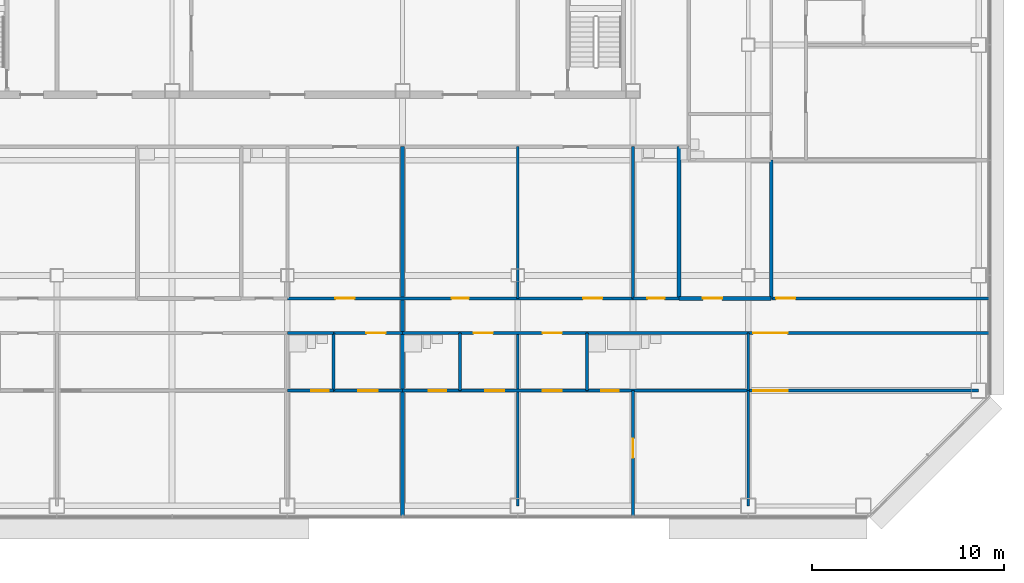
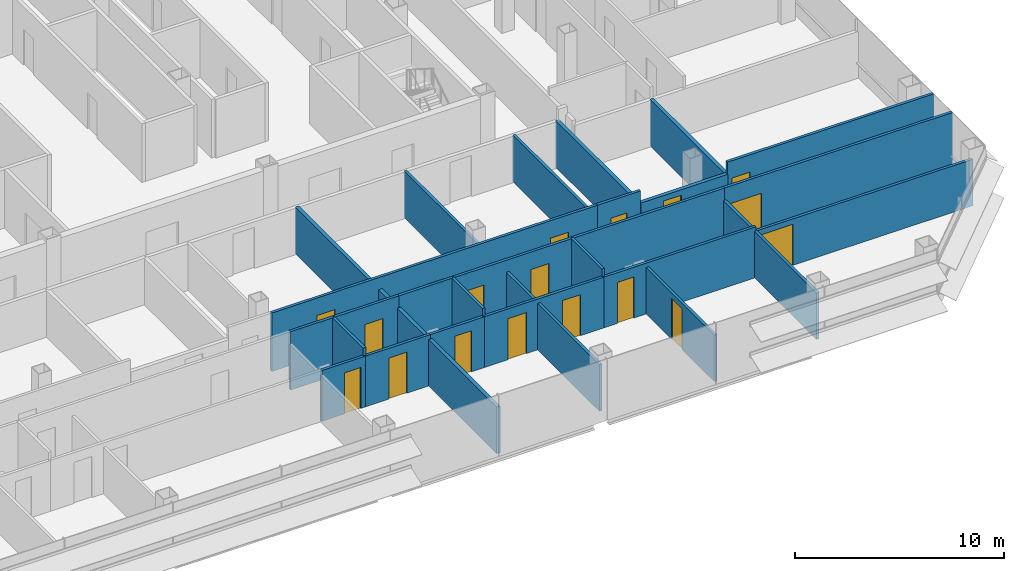
# One storey, part 20 of 25: 28 walls, 18 doors, 18 openings.
"""IFC4 building model written with IfcOpenShell, lengths in metres."""

from ifc_helpers import new_model, si_unit, direction, frame, frame_2d, origin, place, context, subcontext, project, spatial, rectangle, extrude, material, layer, layer_set, type_object, element, fill, save


model = new_model("IFC4")

# Units and contexts
model_context = context("Model", 3, precision=1e-05, world=origin(), true_north=direction((0.0, 1.0)))
body_context = subcontext(model_context, "Body", "Model", "MODEL_VIEW")
ifc_project = project(units=[si_unit("LENGTHUNIT", "METRE"), si_unit("AREAUNIT", "SQUARE_METRE"), si_unit("VOLUMEUNIT", "CUBIC_METRE"), si_unit("PLANEANGLEUNIT", "RADIAN"), si_unit("MASSUNIT", "GRAM", prefix="KILO")], contexts=[model_context])

# Site, building, storey
site_placement = place(None, origin())
site = spatial("IfcSite", under=ifc_project, at=site_placement, CompositionType="ELEMENT")
building_placement = place(site_placement, origin())
building = spatial("IfcBuilding", under=site, at=building_placement, Name="Sorahane Residences", CompositionType="ELEMENT")
storey_placement = place(building_placement, frame((0.0, 0.0, 107.0)))
storey = spatial("IfcBuildingStorey", under=building, at=storey_placement, Name="L23", CompositionType="ELEMENT", Elevation=107.0)

# Walls
ifc_material_1 = material(Name="Concrete blockwork C20 wall", Category="masonry")
ifc_layer_1 = layer(ifc_material_1, 0.199951171875)
ifc_layer_set_1 = layer_set([ifc_layer_1], Name="Kitchen wall 200 EI 180")
wall_type_1 = type_object("IfcWallType", Name="Kitchen wall 200 EI 180", PredefinedType="SOLIDWALL", material=ifc_layer_set_1)
wall_1_placement = place(storey_placement, frame((44.39990234375, 10.800048828125, 0.0), z_axis=(0.0, 0.0, 1.0), x_axis=(0.0, 1.0, 0.0)))
element("IfcWall", 1, at=wall_1_placement, inside=storey, type_object=wall_type_1, Name="L23 kitchen wall", PredefinedType="SOLIDWALL", context=body_context, shape_type="SweptSolid", body=[
    extrude(rectangle(XDim=7.89990234375, YDim=0.199951171875, at=frame_2d((3.949951171875, 0.0))), origin(), (0.0, 0.0, 1.0), 2.719970703125),
])
wall_2_placement = place(storey_placement, frame((49.199951171875, 10.800048828125, 0.0), z_axis=(0.0, 0.0, 1.0), x_axis=(0.0, 1.0, 0.0)))
element("IfcWall", 2, at=wall_2_placement, inside=storey, type_object=wall_type_1, Name="L23 kitchen wall", PredefinedType="SOLIDWALL", context=body_context, shape_type="SweptSolid", body=[
    extrude(rectangle(XDim=7.199951171875, YDim=0.199951171875, at=frame_2d((3.60009765625, 0.0))), origin(), (0.0, 0.0, 1.0), 2.719970703125),
])

# Wall, opening, door
wall_3_placement = place(storey_placement, frame((44.39990234375, 10.800048828125, 0.0), z_axis=(0.0, 0.0, 1.0), x_axis=(1.0, 0.0, 0.0)))
wall_3 = element("IfcWall", 3, at=wall_3_placement, inside=storey, type_object=wall_type_1, Name="L23 kitchen wall", PredefinedType="SOLIDWALL", context=body_context, shape_type="SweptSolid", body=[
    extrude(rectangle(XDim=4.800048828125, YDim=0.199951171875, at=frame_2d((2.39990234375, 0.0))), origin(), (0.0, 0.0, 1.0), 2.719970703125),
])
opening_1_placement = place(wall_3_placement, frame((1.239990234375, 0.0, 0.0)))
opening_1 = element("IfcOpeningElement", 4, at=opening_1_placement, cuts=wall_3, Name="Opening L23-19", PredefinedType="OPENING", context=body_context, shape_type="SweptSolid", body=[
    extrude(rectangle(XDim=1.0, YDim=2.39990234375, at=frame_2d((0.5, 1.199951171875))), frame((0.0, 0.10986328125, 0.0), z_axis=(0.0, -1.0, 0.0), x_axis=(1.0, 0.0, 0.0)), (0.0, 0.0, 1.0), 0.219970703125),
])
ifc_material_2 = material(Name="Steel", Category="steel")
door_type_1 = type_object("IfcDoorType", Name="Kitchen door 1000x2400 FD120", OperationType="NOTDEFINED", PredefinedType="DOOR", material=ifc_material_2)
door_1_placement = place(opening_1_placement, origin())
door_1 = element("IfcDoor", 5, at=door_1_placement, inside=storey, type_object=door_type_1, Name="Kitchen door L23-19", OperationType="SINGLE_SWING_LEFT", OverallHeight=2.39990234375, OverallWidth=1.0, PredefinedType="DOOR", context=body_context, shape_type="SweptSolid", body=[
    extrude(rectangle(XDim=1.0, YDim=2.39990234375, at=frame_2d((0.5, 1.199951171875))), frame((0.0, 0.02490234375, 0.0), z_axis=(0.0, -1.0, 0.0), x_axis=(1.0, 0.0, 0.0)), (0.0, 0.0, 1.0), 0.050048828125),
])
fill(opening_1, door_1)

# Walls
ifc_material_3 = material(Name="Gypsum board partition on steel studs", Category="steel")
ifc_layer_2 = layer(ifc_material_3, 0.14990234375)
ifc_layer_set_2 = layer_set([ifc_layer_2], Name="Partition 150 EI 90")
wall_type_2 = type_object("IfcWallType", Name="Partition 150 EI 90", PredefinedType="PARTITIONING", material=ifc_layer_set_2)
wall_4_placement = place(storey_placement, frame((36.0, 0.0, 0.0), z_axis=(0.0, 0.0, 1.0), x_axis=(0.0, 1.0, 0.0)))
element("IfcWall", 6, at=wall_4_placement, inside=storey, type_object=wall_type_2, Name="L23 partition", PredefinedType="PARTITIONING", context=body_context, shape_type="SweptSolid", body=[
    extrude(rectangle(XDim=9.0, YDim=0.14990234375, at=frame_2d((4.5, 0.0))), origin(), (0.0, 0.0, 1.0), 2.719970703125),
])
wall_5_placement = place(storey_placement, frame((36.0, 10.800048828125, 0.0), z_axis=(0.0, 0.0, 1.0), x_axis=(0.0, 1.0, 0.0)))
element("IfcWall", 7, at=wall_5_placement, inside=storey, type_object=wall_type_2, Name="L23 partition", PredefinedType="PARTITIONING", context=body_context, shape_type="SweptSolid", body=[
    extrude(rectangle(XDim=7.89990234375, YDim=0.14990234375, at=frame_2d((3.949951171875, 0.0))), origin(), (0.0, 0.0, 1.0), 2.719970703125),
])

# Wall, opening, door
wall_6_placement = place(storey_placement, frame((42.0, -0.60009765625, 0.0), z_axis=(0.0, 0.0, 1.0), x_axis=(0.0, 1.0, 0.0)))
wall_6 = element("IfcWall", 8, at=wall_6_placement, inside=storey, type_object=wall_type_2, Name="L23 partition", PredefinedType="PARTITIONING", context=body_context, shape_type="SweptSolid", body=[
    extrude(rectangle(XDim=6.60009765625, YDim=0.14990234375, at=frame_2d((3.300048828125, 0.0))), origin(), (0.0, 0.0, 1.0), 2.719970703125),
])
opening_2_placement = place(wall_6_placement, frame((3.10009765625, 0.0, 0.0)))
opening_2 = element("IfcOpeningElement", 9, at=opening_2_placement, cuts=wall_6, Name="Opening L23-27", PredefinedType="OPENING", context=body_context, shape_type="SweptSolid", body=[
    extrude(rectangle(XDim=1.0, YDim=2.39990234375, at=frame_2d((0.5, 1.199951171875))), frame((0.0, 0.0849609375, 0.0), z_axis=(0.0, -1.0, 0.0), x_axis=(1.0, 0.0, 0.0)), (0.0, 0.0, 1.0), 0.169921875),
])
ifc_material_4 = material(Name="Timber veneered fire door", Category="wood")
door_type_2 = type_object("IfcDoorType", Name="Room door 1000x2400 FD30", OperationType="NOTDEFINED", PredefinedType="DOOR", material=ifc_material_4)
door_2_placement = place(opening_2_placement, frame((1.0, 0.0, 0.0), z_axis=(0.0, 0.0, 1.0), x_axis=(-1.0, 0.0, 0.0)))
door_2 = element("IfcDoor", 10, at=door_2_placement, inside=storey, type_object=door_type_2, Name="Room door L23-27", OperationType="SINGLE_SWING_RIGHT", OverallHeight=2.39990234375, OverallWidth=1.0, PredefinedType="DOOR", context=body_context, shape_type="SweptSolid", body=[
    extrude(rectangle(XDim=1.0, YDim=2.39990234375, at=frame_2d((0.5, 1.199951171875))), frame((0.0, 0.02490234375, 0.0), z_axis=(0.0, -1.0, 0.0), x_axis=(1.0, 0.0, 0.0)), (0.0, 0.0, 1.0), 0.050048828125),
])
fill(opening_2, door_2)

# Wall
wall_7_placement = place(storey_placement, frame((48.0, 0.0, 0.0), z_axis=(0.0, 0.0, 1.0), x_axis=(0.0, 1.0, 0.0)))
element("IfcWall", 11, at=wall_7_placement, inside=storey, type_object=wall_type_2, Name="L23 partition", PredefinedType="PARTITIONING", context=body_context, shape_type="SweptSolid", body=[
    extrude(rectangle(XDim=6.0, YDim=0.14990234375, at=frame_2d((3.0, 0.0))), origin(), (0.0, 0.0, 1.0), 2.719970703125),
])

# Wall, openings, doors
wall_8_placement = place(storey_placement, frame((24.0, 10.800048828125, 0.0), z_axis=(0.0, 0.0, 1.0), x_axis=(1.0, 0.0, 0.0)))
wall_8 = element("IfcWall", 12, at=wall_8_placement, inside=storey, type_object=wall_type_2, Name="L23 partition", PredefinedType="PARTITIONING", context=body_context, shape_type="SweptSolid", body=[
    extrude(rectangle(XDim=18.0, YDim=0.14990234375, at=frame_2d((9.0, 0.0))), origin(), (0.0, 0.0, 1.0), 3.419921875),
])
opening_3_placement = place(wall_8_placement, frame((2.5, 0.0, 0.0)))
opening_3 = element("IfcOpeningElement", 13, at=opening_3_placement, cuts=wall_8, Name="Opening L23-01", PredefinedType="OPENING", context=body_context, shape_type="SweptSolid", body=[
    extrude(rectangle(XDim=1.0, YDim=2.39990234375, at=frame_2d((0.5, 1.199951171875))), frame((0.0, 0.0849609375, 0.0), z_axis=(0.0, -1.0, 0.0), x_axis=(1.0, 0.0, 0.0)), (0.0, 0.0, 1.0), 0.169921875),
])
opening_4_placement = place(wall_8_placement, frame((15.39990234375, 0.0, 0.0)))
opening_4 = element("IfcOpeningElement", 14, at=opening_4_placement, cuts=wall_8, Name="Opening L23-16", PredefinedType="OPENING", context=body_context, shape_type="SweptSolid", body=[
    extrude(rectangle(XDim=1.0, YDim=2.39990234375, at=frame_2d((0.5, 1.199951171875))), frame((0.0, 0.0849609375, 0.0), z_axis=(0.0, -1.0, 0.0), x_axis=(1.0, 0.0, 0.0)), (0.0, 0.0, 1.0), 0.169921875),
])
opening_5_placement = place(wall_8_placement, frame((8.550048828125, 0.0, 0.0)))
opening_5 = element("IfcOpeningElement", 15, at=opening_5_placement, cuts=wall_8, Name="Opening L23-17", PredefinedType="OPENING", context=body_context, shape_type="SweptSolid", body=[
    extrude(rectangle(XDim=0.89990234375, YDim=2.10009765625, at=frame_2d((0.449951171875, 1.050048828125))), frame((0.0, 0.0849609375, 0.0), z_axis=(0.0, -1.0, 0.0), x_axis=(1.0, 0.0, 0.0)), (0.0, 0.0, 1.0), 0.169921875),
])
door_3_placement = place(opening_3_placement, frame((1.0, 0.0, 0.0), z_axis=(0.0, 0.0, 1.0), x_axis=(-1.0, 0.0, 0.0)))
door_3 = element("IfcDoor", 16, at=door_3_placement, inside=storey, type_object=door_type_2, Name="Room door L23-01", OperationType="SINGLE_SWING_LEFT", OverallHeight=2.39990234375, OverallWidth=1.0, PredefinedType="DOOR", context=body_context, shape_type="SweptSolid", body=[
    extrude(rectangle(XDim=1.0, YDim=2.39990234375, at=frame_2d((0.5, 1.199951171875))), frame((0.0, 0.02490234375, 0.0), z_axis=(0.0, -1.0, 0.0), x_axis=(1.0, 0.0, 0.0)), (0.0, 0.0, 1.0), 0.050048828125),
])
fill(opening_3, door_3)
door_4_placement = place(opening_4_placement, frame((1.0, 0.0, 0.0), z_axis=(0.0, 0.0, 1.0), x_axis=(-1.0, 0.0, 0.0)))
door_4 = element("IfcDoor", 17, at=door_4_placement, inside=storey, type_object=door_type_2, Name="Room door L23-16", OperationType="SINGLE_SWING_RIGHT", OverallHeight=2.39990234375, OverallWidth=1.0, PredefinedType="DOOR", context=body_context, shape_type="SweptSolid", body=[
    extrude(rectangle(XDim=1.0, YDim=2.39990234375, at=frame_2d((0.5, 1.199951171875))), frame((0.0, 0.02490234375, 0.0), z_axis=(0.0, -1.0, 0.0), x_axis=(1.0, 0.0, 0.0)), (0.0, 0.0, 1.0), 0.050048828125),
])
fill(opening_4, door_4)
ifc_material_5 = material(Name="Timber veneered fire door", Category="wood")
door_type_3 = type_object("IfcDoorType", Name="Service door 900x2100 FD30", OperationType="NOTDEFINED", PredefinedType="DOOR", material=ifc_material_5)
door_5_placement = place(opening_5_placement, origin())
door_5 = element("IfcDoor", 18, at=door_5_placement, inside=storey, type_object=door_type_3, Name="Service door L23-17", OperationType="SINGLE_SWING_LEFT", OverallHeight=2.10009765625, OverallWidth=0.89990234375, PredefinedType="DOOR", context=body_context, shape_type="SweptSolid", body=[
    extrude(rectangle(XDim=0.89990234375, YDim=2.10009765625, at=frame_2d((0.449951171875, 1.050048828125))), frame((0.0, 0.02490234375, 0.0), z_axis=(0.0, -1.0, 0.0), x_axis=(1.0, 0.0, 0.0)), (0.0, 0.0, 1.0), 0.050048828125),
])
fill(opening_5, door_5)

# Wall, opening, door
wall_9_placement = place(storey_placement, frame((49.199951171875, 10.800048828125, 0.0), z_axis=(0.0, 0.0, 1.0), x_axis=(1.0, 0.0, 0.0)))
wall_9 = element("IfcWall", 19, at=wall_9_placement, inside=storey, type_object=wall_type_2, Name="L23 partition", PredefinedType="PARTITIONING", context=body_context, shape_type="SweptSolid", body=[
    extrude(rectangle(XDim=11.400146484375, YDim=0.14990234375, at=frame_2d((5.7001953125, 0.0))), origin(), (0.0, 0.0, 1.0), 3.419921875),
])
opening_6_placement = place(wall_9_placement, frame((0.25, 0.0, 0.0)))
opening_6 = element("IfcOpeningElement", 20, at=opening_6_placement, cuts=wall_9, Name="Opening L23-20", PredefinedType="OPENING", context=body_context, shape_type="SweptSolid", body=[
    extrude(rectangle(XDim=1.0, YDim=2.39990234375, at=frame_2d((0.5, 1.199951171875))), frame((0.0, 0.0849609375, 0.0), z_axis=(0.0, -1.0, 0.0), x_axis=(1.0, 0.0, 0.0)), (0.0, 0.0, 1.0), 0.169921875),
])
door_6_placement = place(opening_6_placement, origin())
door_6 = element("IfcDoor", 21, at=door_6_placement, inside=storey, type_object=door_type_2, Name="Room door L23-20", OperationType="SINGLE_SWING_LEFT", OverallHeight=2.39990234375, OverallWidth=1.0, PredefinedType="DOOR", context=body_context, shape_type="SweptSolid", body=[
    extrude(rectangle(XDim=1.0, YDim=2.39990234375, at=frame_2d((0.5, 1.199951171875))), frame((0.0, 0.02490234375, 0.0), z_axis=(0.0, -1.0, 0.0), x_axis=(1.0, 0.0, 0.0)), (0.0, 0.0, 1.0), 0.050048828125),
])
fill(opening_6, door_6)

wall_10_placement = place(storey_placement, frame((26.39990234375, 6.0, 0.0), z_axis=(0.0, 0.0, 1.0), x_axis=(1.0, 0.0, 0.0)))
wall_10 = element("IfcWall", 22, at=wall_10_placement, inside=storey, type_object=wall_type_2, Name="L23 partition", PredefinedType="PARTITIONING", context=body_context, shape_type="SweptSolid", body=[
    extrude(rectangle(XDim=3.60009765625, YDim=0.14990234375, at=frame_2d((1.800048828125, 0.0))), origin(), (0.0, 0.0, 1.0), 2.969970703125),
])
opening_7_placement = place(wall_10_placement, frame((1.300048828125, 0.0, 0.0)))
opening_7 = element("IfcOpeningElement", 23, at=opening_7_placement, cuts=wall_10, Name="Opening L23-14", PredefinedType="OPENING", context=body_context, shape_type="SweptSolid", body=[
    extrude(rectangle(XDim=1.0, YDim=2.39990234375, at=frame_2d((0.5, 1.199951171875))), frame((0.0, 0.0849609375, 0.0), z_axis=(0.0, -1.0, 0.0), x_axis=(1.0, 0.0, 0.0)), (0.0, 0.0, 1.0), 0.169921875),
])
door_7_placement = place(opening_7_placement, frame((1.0, 0.0, 0.0), z_axis=(0.0, 0.0, 1.0), x_axis=(-1.0, 0.0, 0.0)))
door_7 = element("IfcDoor", 24, at=door_7_placement, inside=storey, type_object=door_type_2, Name="Room door L23-14", OperationType="SINGLE_SWING_LEFT", OverallHeight=2.39990234375, OverallWidth=1.0, PredefinedType="DOOR", context=body_context, shape_type="SweptSolid", body=[
    extrude(rectangle(XDim=1.0, YDim=2.39990234375, at=frame_2d((0.5, 1.199951171875))), frame((0.0, 0.02490234375, 0.0), z_axis=(0.0, -1.0, 0.0), x_axis=(1.0, 0.0, 0.0)), (0.0, 0.0, 1.0), 0.050048828125),
])
fill(opening_7, door_7)

# Wall, openings, doors
wall_11_placement = place(storey_placement, frame((33.0, 6.0, 0.0), z_axis=(0.0, 0.0, 1.0), x_axis=(1.0, 0.0, 0.0)))
wall_11 = element("IfcWall", 25, at=wall_11_placement, inside=storey, type_object=wall_type_2, Name="L23 partition", PredefinedType="PARTITIONING", context=body_context, shape_type="SweptSolid", body=[
    extrude(rectangle(XDim=6.60009765625, YDim=0.14990234375, at=frame_2d((3.300048828125, 0.0))), origin(), (0.0, 0.0, 1.0), 2.969970703125),
])
opening_8_placement = place(wall_11_placement, frame((1.300048828125, 0.0, 0.0)))
opening_8 = element("IfcOpeningElement", 26, at=opening_8_placement, cuts=wall_11, Name="Opening L23-24", PredefinedType="OPENING", context=body_context, shape_type="SweptSolid", body=[
    extrude(rectangle(XDim=1.0, YDim=2.39990234375, at=frame_2d((0.5, 1.199951171875))), frame((0.0, 0.0849609375, 0.0), z_axis=(0.0, -1.0, 0.0), x_axis=(1.0, 0.0, 0.0)), (0.0, 0.0, 1.0), 0.169921875),
])
opening_9_placement = place(wall_11_placement, frame((4.300048828125, 0.0, 0.0)))
opening_9 = element("IfcOpeningElement", 27, at=opening_9_placement, cuts=wall_11, Name="Opening L23-26", PredefinedType="OPENING", context=body_context, shape_type="SweptSolid", body=[
    extrude(rectangle(XDim=1.0, YDim=2.39990234375, at=frame_2d((0.5, 1.199951171875))), frame((0.0, 0.0849609375, 0.0), z_axis=(0.0, -1.0, 0.0), x_axis=(1.0, 0.0, 0.0)), (0.0, 0.0, 1.0), 0.169921875),
])
door_8_placement = place(opening_8_placement, frame((1.0, 0.0, 0.0), z_axis=(0.0, 0.0, 1.0), x_axis=(-1.0, 0.0, 0.0)))
door_8 = element("IfcDoor", 28, at=door_8_placement, inside=storey, type_object=door_type_2, Name="Room door L23-24", OperationType="SINGLE_SWING_LEFT", OverallHeight=2.39990234375, OverallWidth=1.0, PredefinedType="DOOR", context=body_context, shape_type="SweptSolid", body=[
    extrude(rectangle(XDim=1.0, YDim=2.39990234375, at=frame_2d((0.5, 1.199951171875))), frame((0.0, 0.02490234375, 0.0), z_axis=(0.0, -1.0, 0.0), x_axis=(1.0, 0.0, 0.0)), (0.0, 0.0, 1.0), 0.050048828125),
])
fill(opening_8, door_8)
door_9_placement = place(opening_9_placement, frame((1.0, 0.0, 0.0), z_axis=(0.0, 0.0, 1.0), x_axis=(-1.0, 0.0, 0.0)))
door_9 = element("IfcDoor", 29, at=door_9_placement, inside=storey, type_object=door_type_2, Name="Room door L23-26", OperationType="SINGLE_SWING_LEFT", OverallHeight=2.39990234375, OverallWidth=1.0, PredefinedType="DOOR", context=body_context, shape_type="SweptSolid", body=[
    extrude(rectangle(XDim=1.0, YDim=2.39990234375, at=frame_2d((0.5, 1.199951171875))), frame((0.0, 0.02490234375, 0.0), z_axis=(0.0, -1.0, 0.0), x_axis=(1.0, 0.0, 0.0)), (0.0, 0.0, 1.0), 0.050048828125),
])
fill(opening_9, door_9)

# Wall, opening, door
wall_12_placement = place(storey_placement, frame((48.0, 6.0, 0.0), z_axis=(0.0, 0.0, 1.0), x_axis=(1.0, 0.0, 0.0)))
wall_12 = element("IfcWall", 30, at=wall_12_placement, inside=storey, type_object=wall_type_2, Name="L23 partition", PredefinedType="PARTITIONING", context=body_context, shape_type="SweptSolid", body=[
    extrude(rectangle(XDim=12.0, YDim=0.14990234375, at=frame_2d((6.0, 0.0))), origin(), (0.0, 0.0, 1.0), 2.719970703125),
])
opening_10_placement = place(wall_12_placement, frame((0.25, 0.0, 0.0)))
opening_10 = element("IfcOpeningElement", 31, at=opening_10_placement, cuts=wall_12, Name="Opening L23-29", PredefinedType="OPENING", context=body_context, shape_type="SweptSolid", body=[
    extrude(rectangle(XDim=1.800048828125, YDim=2.39990234375, at=frame_2d((0.89990234375, 1.199951171875))), frame((0.0, 0.0849609375, 0.0), z_axis=(0.0, -1.0, 0.0), x_axis=(1.0, 0.0, 0.0)), (0.0, 0.0, 1.0), 0.169921875),
])
ifc_material_6 = material(Name="Timber veneered fire door", Category="wood")
door_type_4 = type_object("IfcDoorType", Name="Double door 1800x2400 FD30", OperationType="NOTDEFINED", PredefinedType="DOOR", material=ifc_material_6)
door_10_placement = place(opening_10_placement, frame((1.800048828125, 0.0, 0.0), z_axis=(0.0, 0.0, 1.0), x_axis=(-1.0, 0.0, 0.0)))
door_10 = element("IfcDoor", 32, at=door_10_placement, inside=storey, type_object=door_type_4, Name="Double door L23-29", OperationType="SINGLE_SWING_RIGHT", OverallHeight=2.39990234375, OverallWidth=1.800048828125, PredefinedType="DOOR", context=body_context, shape_type="SweptSolid", body=[
    extrude(rectangle(XDim=1.800048828125, YDim=2.39990234375, at=frame_2d((0.89990234375, 1.199951171875))), frame((0.0, 0.02490234375, 0.0), z_axis=(0.0, -1.0, 0.0), x_axis=(1.0, 0.0, 0.0)), (0.0, 0.0, 1.0), 0.050048828125),
])
fill(opening_10, door_10)

wall_13_placement = place(storey_placement, frame((26.39990234375, 9.0, 0.0), z_axis=(0.0, 0.0, 1.0), x_axis=(1.0, 0.0, 0.0)))
wall_13 = element("IfcWall", 33, at=wall_13_placement, inside=storey, type_object=wall_type_2, Name="L23 partition", PredefinedType="PARTITIONING", context=body_context, shape_type="SweptSolid", body=[
    extrude(rectangle(XDim=3.60009765625, YDim=0.14990234375, at=frame_2d((1.800048828125, 0.0))), origin(), (0.0, 0.0, 1.0), 3.419921875),
])
opening_11_placement = place(wall_13_placement, frame((1.719970703125, 0.0, 0.0)))
opening_11 = element("IfcOpeningElement", 34, at=opening_11_placement, cuts=wall_13, Name="Opening L23-09", PredefinedType="OPENING", context=body_context, shape_type="SweptSolid", body=[
    extrude(rectangle(XDim=1.0, YDim=2.39990234375, at=frame_2d((0.5, 1.199951171875))), frame((0.0, 0.0849609375, 0.0), z_axis=(0.0, -1.0, 0.0), x_axis=(1.0, 0.0, 0.0)), (0.0, 0.0, 1.0), 0.169921875),
])
door_11_placement = place(opening_11_placement, frame((1.0, 0.0, 0.0), z_axis=(0.0, 0.0, 1.0), x_axis=(-1.0, 0.0, 0.0)))
door_11 = element("IfcDoor", 35, at=door_11_placement, inside=storey, type_object=door_type_2, Name="Room door L23-09", OperationType="SINGLE_SWING_RIGHT", OverallHeight=2.39990234375, OverallWidth=1.0, PredefinedType="DOOR", context=body_context, shape_type="SweptSolid", body=[
    extrude(rectangle(XDim=1.0, YDim=2.39990234375, at=frame_2d((0.5, 1.199951171875))), frame((0.0, 0.02490234375, 0.0), z_axis=(0.0, -1.0, 0.0), x_axis=(1.0, 0.0, 0.0)), (0.0, 0.0, 1.0), 0.050048828125),
])
fill(opening_11, door_11)

# Wall, openings, doors
wall_14_placement = place(storey_placement, frame((33.0, 9.0, 0.0), z_axis=(0.0, 0.0, 1.0), x_axis=(1.0, 0.0, 0.0)))
wall_14 = element("IfcWall", 36, at=wall_14_placement, inside=storey, type_object=wall_type_2, Name="L23 partition", PredefinedType="PARTITIONING", context=body_context, shape_type="SweptSolid", body=[
    extrude(rectangle(XDim=6.60009765625, YDim=0.14990234375, at=frame_2d((3.300048828125, 0.0))), origin(), (0.0, 0.0, 1.0), 3.419921875),
])
opening_12_placement = place(wall_14_placement, frame((0.699951171875, 0.0, 0.0)))
opening_12 = element("IfcOpeningElement", 37, at=opening_12_placement, cuts=wall_14, Name="Opening L23-21", PredefinedType="OPENING", context=body_context, shape_type="SweptSolid", body=[
    extrude(rectangle(XDim=1.0, YDim=2.39990234375, at=frame_2d((0.5, 1.199951171875))), frame((0.0, 0.0849609375, 0.0), z_axis=(0.0, -1.0, 0.0), x_axis=(1.0, 0.0, 0.0)), (0.0, 0.0, 1.0), 0.169921875),
])
opening_13_placement = place(wall_14_placement, frame((4.300048828125, 0.0, 0.0)))
opening_13 = element("IfcOpeningElement", 38, at=opening_13_placement, cuts=wall_14, Name="Opening L23-22", PredefinedType="OPENING", context=body_context, shape_type="SweptSolid", body=[
    extrude(rectangle(XDim=1.0, YDim=2.39990234375, at=frame_2d((0.5, 1.199951171875))), frame((0.0, 0.0849609375, 0.0), z_axis=(0.0, -1.0, 0.0), x_axis=(1.0, 0.0, 0.0)), (0.0, 0.0, 1.0), 0.169921875),
])
door_12_placement = place(opening_12_placement, frame((1.0, 0.0, 0.0), z_axis=(0.0, 0.0, 1.0), x_axis=(-1.0, 0.0, 0.0)))
door_12 = element("IfcDoor", 39, at=door_12_placement, inside=storey, type_object=door_type_2, Name="Room door L23-21", OperationType="SINGLE_SWING_LEFT", OverallHeight=2.39990234375, OverallWidth=1.0, PredefinedType="DOOR", context=body_context, shape_type="SweptSolid", body=[
    extrude(rectangle(XDim=1.0, YDim=2.39990234375, at=frame_2d((0.5, 1.199951171875))), frame((0.0, 0.02490234375, 0.0), z_axis=(0.0, -1.0, 0.0), x_axis=(1.0, 0.0, 0.0)), (0.0, 0.0, 1.0), 0.050048828125),
])
fill(opening_12, door_12)
door_13_placement = place(opening_13_placement, frame((1.0, 0.0, 0.0), z_axis=(0.0, 0.0, 1.0), x_axis=(-1.0, 0.0, 0.0)))
door_13 = element("IfcDoor", 40, at=door_13_placement, inside=storey, type_object=door_type_2, Name="Room door L23-22", OperationType="SINGLE_SWING_LEFT", OverallHeight=2.39990234375, OverallWidth=1.0, PredefinedType="DOOR", context=body_context, shape_type="SweptSolid", body=[
    extrude(rectangle(XDim=1.0, YDim=2.39990234375, at=frame_2d((0.5, 1.199951171875))), frame((0.0, 0.02490234375, 0.0), z_axis=(0.0, -1.0, 0.0), x_axis=(1.0, 0.0, 0.0)), (0.0, 0.0, 1.0), 0.050048828125),
])
fill(opening_13, door_13)

# Wall, opening, door
wall_15_placement = place(storey_placement, frame((48.0, 9.0, 0.0), z_axis=(0.0, 0.0, 1.0), x_axis=(1.0, 0.0, 0.0)))
wall_15 = element("IfcWall", 41, at=wall_15_placement, inside=storey, type_object=wall_type_2, Name="L23 partition", PredefinedType="PARTITIONING", context=body_context, shape_type="SweptSolid", body=[
    extrude(rectangle(XDim=12.60009765625, YDim=0.14990234375, at=frame_2d((6.300048828125, 0.0))), origin(), (0.0, 0.0, 1.0), 3.419921875),
])
opening_14_placement = place(wall_15_placement, frame((0.25, 0.0, 0.0)))
opening_14 = element("IfcOpeningElement", 42, at=opening_14_placement, cuts=wall_15, Name="Opening L23-23", PredefinedType="OPENING", context=body_context, shape_type="SweptSolid", body=[
    extrude(rectangle(XDim=1.800048828125, YDim=2.39990234375, at=frame_2d((0.89990234375, 1.199951171875))), frame((0.0, 0.0849609375, 0.0), z_axis=(0.0, -1.0, 0.0), x_axis=(1.0, 0.0, 0.0)), (0.0, 0.0, 1.0), 0.169921875),
])
door_14_placement = place(opening_14_placement, frame((1.800048828125, 0.0, 0.0), z_axis=(0.0, 0.0, 1.0), x_axis=(-1.0, 0.0, 0.0)))
door_14 = element("IfcDoor", 43, at=door_14_placement, inside=storey, type_object=door_type_4, Name="Double door L23-23", OperationType="SINGLE_SWING_RIGHT", OverallHeight=2.39990234375, OverallWidth=1.800048828125, PredefinedType="DOOR", context=body_context, shape_type="SweptSolid", body=[
    extrude(rectangle(XDim=1.800048828125, YDim=2.39990234375, at=frame_2d((0.89990234375, 1.199951171875))), frame((0.0, 0.02490234375, 0.0), z_axis=(0.0, -1.0, 0.0), x_axis=(1.0, 0.0, 0.0)), (0.0, 0.0, 1.0), 0.050048828125),
])
fill(opening_14, door_14)

# Walls
ifc_material_7 = material(Name="Concrete blockwork C20 wall", Category="masonry")
ifc_layer_3 = layer(ifc_material_7, 0.199951171875)
ifc_layer_set_3 = layer_set([ifc_layer_3], Name="Party wall 200 EI 120")
wall_type_3 = type_object("IfcWallType", Name="Party wall 200 EI 120", PredefinedType="SOLIDWALL", material=ifc_layer_set_3)
wall_16_placement = place(storey_placement, frame((30.0, -0.60009765625, 0.0), z_axis=(0.0, 0.0, 1.0), x_axis=(0.0, 1.0, 0.0)))
element("IfcWall", 44, at=wall_16_placement, inside=storey, type_object=wall_type_3, Name="L23 party wall", PredefinedType="SOLIDWALL", context=body_context, shape_type="SweptSolid", body=[
    extrude(rectangle(XDim=19.300048828125, YDim=0.199951171875, at=frame_2d((9.64990234375, 0.0))), origin(), (0.0, 0.0, 1.0), 2.719970703125),
])
ifc_material_8 = material(Name="Gypsum board partition on steel studs", Category="steel")
ifc_layer_4 = layer(ifc_material_8, 0.14990234375)
ifc_layer_set_4 = layer_set([ifc_layer_4], Name="Wet wall 150 EI 90")
wall_type_4 = type_object("IfcWallType", Name="Wet wall 150 EI 90", PredefinedType="PARTITIONING", material=ifc_layer_set_4)
for number, where, z_axis, x_axis, name in (
    (45, (26.39990234375, 6.0, 0.0), (0.0, 0.0, 1.0), (0.0, 1.0, 0.0), "L23 wet wall"),
    (46, (33.0, 6.0, 0.0), (0.0, 0.0, 1.0), (0.0, 1.0, 0.0), "L23 wet wall"),
    (47, (39.60009765625, 6.0, 0.0), (0.0, 0.0, 1.0), (0.0, 1.0, 0.0), "L23 wet wall"),
):
    element("IfcWall", number, at=place(storey_placement, frame(where, z_axis=z_axis, x_axis=x_axis)), inside=storey, type_object=wall_type_4, Name=name, PredefinedType="PARTITIONING", context=body_context, shape_type="SweptSolid", body=[
        extrude(rectangle(XDim=3.0, YDim=0.14990234375, at=frame_2d((1.5, 0.0))), origin(), (0.0, 0.0, 1.0), 3.419921875),
    ])
wall_17_placement = place(storey_placement, frame((42.0, 10.800048828125, 0.0), z_axis=(0.0, 0.0, 1.0), x_axis=(0.0, 1.0, 0.0)))
element("IfcWall", 48, at=wall_17_placement, inside=storey, type_object=wall_type_4, Name="L23 wet wall", PredefinedType="PARTITIONING", context=body_context, shape_type="SweptSolid", body=[
    extrude(rectangle(XDim=7.89990234375, YDim=0.14990234375, at=frame_2d((3.949951171875, 0.0))), origin(), (0.0, 0.0, 1.0), 2.719970703125),
])
wall_18_placement = place(storey_placement, frame((48.0, 6.0, 0.0), z_axis=(0.0, 0.0, 1.0), x_axis=(0.0, 1.0, 0.0)))
element("IfcWall", 49, at=wall_18_placement, inside=storey, type_object=wall_type_4, Name="L23 wet wall", PredefinedType="PARTITIONING", context=body_context, shape_type="SweptSolid", body=[
    extrude(rectangle(XDim=3.0, YDim=0.14990234375, at=frame_2d((1.5, 0.0))), origin(), (0.0, 0.0, 1.0), 2.719970703125),
])

# Wall, opening, door
wall_19_placement = place(storey_placement, frame((42.0, 10.800048828125, 0.0), z_axis=(0.0, 0.0, 1.0), x_axis=(1.0, 0.0, 0.0)))
wall_19 = element("IfcWall", 50, at=wall_19_placement, inside=storey, type_object=wall_type_4, Name="L23 wet wall", PredefinedType="PARTITIONING", context=body_context, shape_type="SweptSolid", body=[
    extrude(rectangle(XDim=2.39990234375, YDim=0.14990234375, at=frame_2d((1.199951171875, 0.0))), origin(), (0.0, 0.0, 1.0), 3.419921875),
])
opening_15_placement = place(wall_19_placement, frame((0.75, 0.0, 0.0)))
opening_15 = element("IfcOpeningElement", 51, at=opening_15_placement, cuts=wall_19, Name="Opening L23-18", PredefinedType="OPENING", context=body_context, shape_type="SweptSolid", body=[
    extrude(rectangle(XDim=0.89990234375, YDim=2.39990234375, at=frame_2d((0.449951171875, 1.199951171875))), frame((0.0, 0.0849609375, 0.0), z_axis=(0.0, -1.0, 0.0), x_axis=(1.0, 0.0, 0.0)), (0.0, 0.0, 1.0), 0.169921875),
])
ifc_material_9 = material(Name="Timber veneered fire door", Category="wood")
door_type_5 = type_object("IfcDoorType", Name="Bathroom door 900x2400 FD30", OperationType="NOTDEFINED", PredefinedType="DOOR", material=ifc_material_9)
door_15_placement = place(opening_15_placement, frame((0.89990234375, 0.0, 0.0), z_axis=(0.0, 0.0, 1.0), x_axis=(-1.0, 0.0, 0.0)))
door_15 = element("IfcDoor", 52, at=door_15_placement, inside=storey, type_object=door_type_5, Name="Bathroom door L23-18", OperationType="SINGLE_SWING_LEFT", OverallHeight=2.39990234375, OverallWidth=0.89990234375, PredefinedType="DOOR", context=body_context, shape_type="SweptSolid", body=[
    extrude(rectangle(XDim=0.89990234375, YDim=2.39990234375, at=frame_2d((0.449951171875, 1.199951171875))), frame((0.0, 0.02490234375, 0.0), z_axis=(0.0, -1.0, 0.0), x_axis=(1.0, 0.0, 0.0)), (0.0, 0.0, 1.0), 0.050048828125),
])
fill(opening_15, door_15)

wall_20_placement = place(storey_placement, frame((24.0, 6.0, 0.0), z_axis=(0.0, 0.0, 1.0), x_axis=(1.0, 0.0, 0.0)))
wall_20 = element("IfcWall", 53, at=wall_20_placement, inside=storey, type_object=wall_type_4, Name="L23 wet wall", PredefinedType="PARTITIONING", context=body_context, shape_type="SweptSolid", body=[
    extrude(rectangle(XDim=2.39990234375, YDim=0.14990234375, at=frame_2d((1.199951171875, 0.0))), origin(), (0.0, 0.0, 1.0), 2.969970703125),
])
opening_16_placement = place(wall_20_placement, frame((1.25, 0.0, 0.0)))
opening_16 = element("IfcOpeningElement", 54, at=opening_16_placement, cuts=wall_20, Name="Opening L23-15", PredefinedType="OPENING", context=body_context, shape_type="SweptSolid", body=[
    extrude(rectangle(XDim=0.89990234375, YDim=2.39990234375, at=frame_2d((0.449951171875, 1.199951171875))), frame((0.0, 0.0849609375, 0.0), z_axis=(0.0, -1.0, 0.0), x_axis=(1.0, 0.0, 0.0)), (0.0, 0.0, 1.0), 0.169921875),
])
door_16_placement = place(opening_16_placement, frame((0.89990234375, 0.0, 0.0), z_axis=(0.0, 0.0, 1.0), x_axis=(-1.0, 0.0, 0.0)))
door_16 = element("IfcDoor", 55, at=door_16_placement, inside=storey, type_object=door_type_5, Name="Bathroom door L23-15", OperationType="SINGLE_SWING_LEFT", OverallHeight=2.39990234375, OverallWidth=0.89990234375, PredefinedType="DOOR", context=body_context, shape_type="SweptSolid", body=[
    extrude(rectangle(XDim=0.89990234375, YDim=2.39990234375, at=frame_2d((0.449951171875, 1.199951171875))), frame((0.0, 0.02490234375, 0.0), z_axis=(0.0, -1.0, 0.0), x_axis=(1.0, 0.0, 0.0)), (0.0, 0.0, 1.0), 0.050048828125),
])
fill(opening_16, door_16)

wall_21_placement = place(storey_placement, frame((30.0, 6.0, 0.0), z_axis=(0.0, 0.0, 1.0), x_axis=(1.0, 0.0, 0.0)))
wall_21 = element("IfcWall", 56, at=wall_21_placement, inside=storey, type_object=wall_type_4, Name="L23 wet wall", PredefinedType="PARTITIONING", context=body_context, shape_type="SweptSolid", body=[
    extrude(rectangle(XDim=3.0, YDim=0.14990234375, at=frame_2d((1.5, 0.0))), origin(), (0.0, 0.0, 1.0), 2.969970703125),
])
opening_17_placement = place(wall_21_placement, frame((1.3701171875, 0.0, 0.0)))
opening_17 = element("IfcOpeningElement", 57, at=opening_17_placement, cuts=wall_21, Name="Opening L23-25", PredefinedType="OPENING", context=body_context, shape_type="SweptSolid", body=[
    extrude(rectangle(XDim=0.89990234375, YDim=2.39990234375, at=frame_2d((0.449951171875, 1.199951171875))), frame((0.0, 0.0849609375, 0.0), z_axis=(0.0, -1.0, 0.0), x_axis=(1.0, 0.0, 0.0)), (0.0, 0.0, 1.0), 0.169921875),
])
door_17_placement = place(opening_17_placement, frame((0.89990234375, 0.0, 0.0), z_axis=(0.0, 0.0, 1.0), x_axis=(-1.0, 0.0, 0.0)))
door_17 = element("IfcDoor", 58, at=door_17_placement, inside=storey, type_object=door_type_5, Name="Bathroom door L23-25", OperationType="SINGLE_SWING_LEFT", OverallHeight=2.39990234375, OverallWidth=0.89990234375, PredefinedType="DOOR", context=body_context, shape_type="SweptSolid", body=[
    extrude(rectangle(XDim=0.89990234375, YDim=2.39990234375, at=frame_2d((0.449951171875, 1.199951171875))), frame((0.0, 0.02490234375, 0.0), z_axis=(0.0, -1.0, 0.0), x_axis=(1.0, 0.0, 0.0)), (0.0, 0.0, 1.0), 0.050048828125),
])
fill(opening_17, door_17)

wall_22_placement = place(storey_placement, frame((39.60009765625, 6.0, 0.0), z_axis=(0.0, 0.0, 1.0), x_axis=(1.0, 0.0, 0.0)))
wall_22 = element("IfcWall", 59, at=wall_22_placement, inside=storey, type_object=wall_type_4, Name="L23 wet wall", PredefinedType="PARTITIONING", context=body_context, shape_type="SweptSolid", body=[
    extrude(rectangle(XDim=8.39990234375, YDim=0.14990234375, at=frame_2d((4.199951171875, 0.0))), origin(), (0.0, 0.0, 1.0), 2.969970703125),
])
opening_18_placement = place(wall_22_placement, frame((0.75, 0.0, 0.0)))
opening_18 = element("IfcOpeningElement", 60, at=opening_18_placement, cuts=wall_22, Name="Opening L23-28", PredefinedType="OPENING", context=body_context, shape_type="SweptSolid", body=[
    extrude(rectangle(XDim=0.89990234375, YDim=2.39990234375, at=frame_2d((0.449951171875, 1.199951171875))), frame((0.0, 0.0849609375, 0.0), z_axis=(0.0, -1.0, 0.0), x_axis=(1.0, 0.0, 0.0)), (0.0, 0.0, 1.0), 0.169921875),
])
door_18_placement = place(opening_18_placement, frame((0.89990234375, 0.0, 0.0), z_axis=(0.0, 0.0, 1.0), x_axis=(-1.0, 0.0, 0.0)))
door_18 = element("IfcDoor", 61, at=door_18_placement, inside=storey, type_object=door_type_5, Name="Bathroom door L23-28", OperationType="SINGLE_SWING_LEFT", OverallHeight=2.39990234375, OverallWidth=0.89990234375, PredefinedType="DOOR", context=body_context, shape_type="SweptSolid", body=[
    extrude(rectangle(XDim=0.89990234375, YDim=2.39990234375, at=frame_2d((0.449951171875, 1.199951171875))), frame((0.0, 0.02490234375, 0.0), z_axis=(0.0, -1.0, 0.0), x_axis=(1.0, 0.0, 0.0)), (0.0, 0.0, 1.0), 0.050048828125),
])
fill(opening_18, door_18)

# Walls
wall_23_placement = place(storey_placement, frame((24.0, 9.0, 0.0), z_axis=(0.0, 0.0, 1.0), x_axis=(1.0, 0.0, 0.0)))
element("IfcWall", 62, at=wall_23_placement, inside=storey, type_object=wall_type_4, Name="L23 wet wall", PredefinedType="PARTITIONING", context=body_context, shape_type="SweptSolid", body=[
    extrude(rectangle(XDim=2.39990234375, YDim=0.14990234375, at=frame_2d((1.199951171875, 0.0))), origin(), (0.0, 0.0, 1.0), 3.419921875),
])
wall_24_placement = place(storey_placement, frame((30.0, 9.0, 0.0), z_axis=(0.0, 0.0, 1.0), x_axis=(1.0, 0.0, 0.0)))
element("IfcWall", 63, at=wall_24_placement, inside=storey, type_object=wall_type_4, Name="L23 wet wall", PredefinedType="PARTITIONING", context=body_context, shape_type="SweptSolid", body=[
    extrude(rectangle(XDim=3.0, YDim=0.14990234375, at=frame_2d((1.5, 0.0))), origin(), (0.0, 0.0, 1.0), 3.419921875),
])
wall_25_placement = place(storey_placement, frame((39.60009765625, 9.0, 0.0), z_axis=(0.0, 0.0, 1.0), x_axis=(1.0, 0.0, 0.0)))
element("IfcWall", 64, at=wall_25_placement, inside=storey, type_object=wall_type_4, Name="L23 wet wall", PredefinedType="PARTITIONING", context=body_context, shape_type="SweptSolid", body=[
    extrude(rectangle(XDim=8.39990234375, YDim=0.14990234375, at=frame_2d((4.199951171875, 0.0))), origin(), (0.0, 0.0, 1.0), 3.419921875),
])

save(model, "model.ifc")
